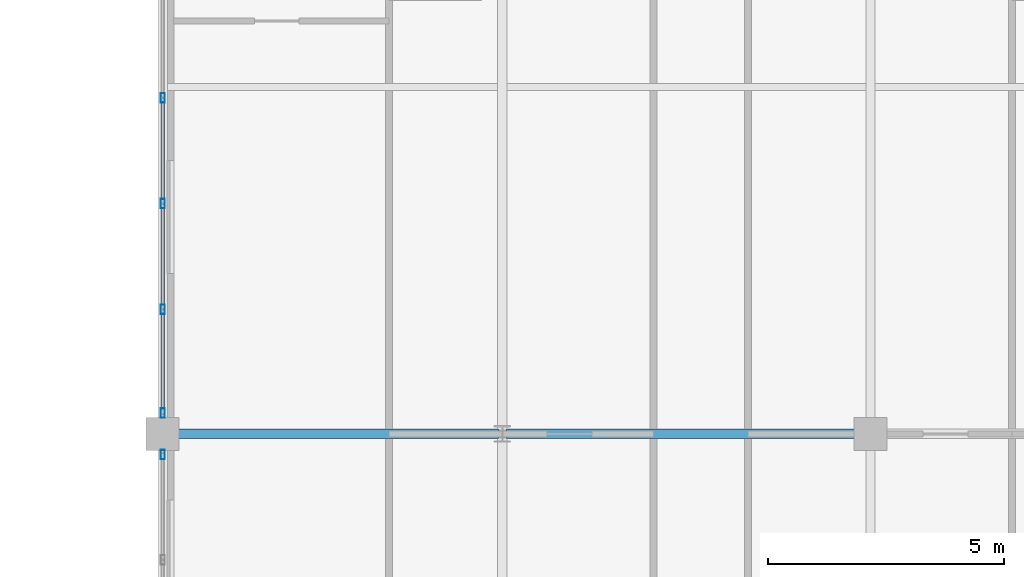
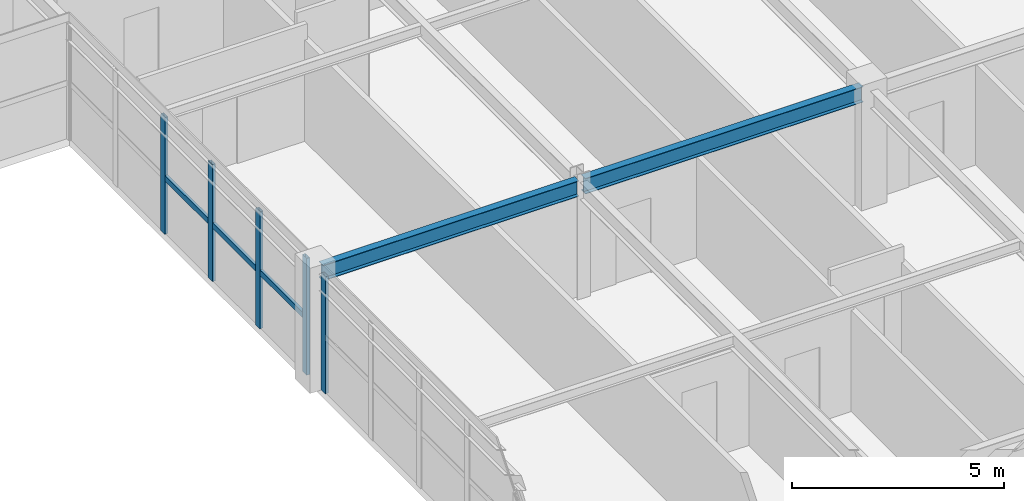
# One storey, part 13 of 34: 8 members, 2 beams, 2 elements without a shape of their own.
"""IFC4 building model written with IfcOpenShell, lengths in metres."""

from ifc_helpers import new_model, si_unit, direction, frame, origin, origin_2d, place, context, subcontext, project, spatial, hollow_rectangle, i_section, extrude, source, transform, mapped, material, material_profile, profile_set, type_object, element, aggregate, save


model = new_model("IFC4")

# Units and contexts
model_context = context("Model", 3, precision=1e-05, world=origin(), true_north=direction((0.0, 1.0)))
body_context = subcontext(model_context, "Body", "Model", "MODEL_VIEW")
ifc_project = project(units=[si_unit("LENGTHUNIT", "METRE"), si_unit("AREAUNIT", "SQUARE_METRE"), si_unit("VOLUMEUNIT", "CUBIC_METRE"), si_unit("PLANEANGLEUNIT", "RADIAN"), si_unit("MASSUNIT", "GRAM", prefix="KILO")], contexts=[model_context])

# Site, building, storey
site_placement = place(None, origin())
site = spatial("IfcSite", under=ifc_project, at=site_placement, CompositionType="ELEMENT")
building_placement = place(site_placement, origin())
building = spatial("IfcBuilding", under=site, at=building_placement, Name="Trelvane Seafront Commons", CompositionType="ELEMENT")
storey_placement = place(building_placement, frame((0.0, 0.0, 197.699951171875)))
storey = spatial("IfcBuildingStorey", under=building, at=storey_placement, Name="L51", CompositionType="ELEMENT", Elevation=197.699951171875)

# Beams
ifc_material_1 = material(Name="Steel SM355 (S355)", Category="steel")
ifc_material_profile_1 = material_profile(ifc_material_1, i_section(OverallWidth=0.199951171875, OverallDepth=0.449951171875, WebThickness=0.009033203125, FlangeThickness=0.013916015625, at=origin_2d()), Name="H-450x200x9x14")
ifc_profile_set_1 = profile_set([ifc_material_profile_1], Name="Steel SM355 (S355)")
beam_type = type_object("IfcBeamType", Name="STR-SPD-H450", PredefinedType="SPANDREL", material=ifc_profile_set_1)
shared_shape_1 = source(origin(), body_context, "Body", "SweptSolid", [
    extrude(i_section(OverallWidth=0.199951171875, OverallDepth=0.449951171875, WebThickness=0.009033203125, FlangeThickness=0.013916015625, at=origin_2d()), origin(), (0.0, 0.0, 1.0), 7.5625),
])
beam_1_placement = place(storey_placement, frame((51.08740234375, 18.199951171875, 3.135009765625), z_axis=(1.0, 0.0, 0.0), x_axis=(0.0, 1.0, 0.0)))
element("IfcBeam", 1, at=beam_1_placement, inside=storey, type_object=beam_type, Name="L51 Primary Girder G-13", PredefinedType="SPANDREL", context=body_context, shape_type="MappedRepresentation", body=[
    mapped(shared_shape_1, transform((0.0, 0.0, 0.0), x_axis=(1.0, 0.0, 0.0), y_axis=(0.0, 1.0, 0.0), z_axis=(0.0, 0.0, 1.0), scale=1.0)),
])
shared_shape_2 = source(origin(), body_context, "Body", "SweptSolid", [
    extrude(i_section(OverallWidth=0.199951171875, OverallDepth=0.449951171875, WebThickness=0.009033203125, FlangeThickness=0.013916015625, at=origin_2d()), origin(), (0.0, 0.0, 1.0), 6.962646484375),
])
beam_2_placement = place(storey_placement, frame((43.949951171875, 18.199951171875, 3.135009765625), z_axis=(1.0, 0.0, 0.0), x_axis=(0.0, 1.0, 0.0)))
element("IfcBeam", 2, at=beam_2_placement, inside=storey, type_object=beam_type, Name="L51 Primary Girder G-12", PredefinedType="SPANDREL", context=body_context, shape_type="MappedRepresentation", body=[
    mapped(shared_shape_2, transform((0.0, 0.0, 0.0), x_axis=(1.0, 0.0, 0.0), y_axis=(0.0, 1.0, 0.0), z_axis=(0.0, 0.0, 1.0), scale=1.0)),
])

# Curtain wall, members
ifc_material_2 = material(Name="Anodised pale-silver aluminium", Category="aluminium")
curtain_wall_type = type_object("IfcCurtainWallType", Name="ARCH-CW3-PORTAL", PredefinedType="NOTDEFINED", material=ifc_material_2)
curtain_wall_1_placement = place(storey_placement, origin())
curtain_wall_1 = element("IfcCurtainWall", 3, at=curtain_wall_1_placement, inside=storey, type_object=curtain_wall_type, Name="CW-L51-VP-0088", PredefinedType="NOTDEFINED")
ifc_material_profile_2 = material_profile(ifc_material_2, hollow_rectangle(XDim=0.080078125, YDim=0.159912109375, WallThickness=0.00439453125, at=origin_2d()), Name="TRAN-80x160x4.5")
ifc_profile_set_2 = profile_set([ifc_material_profile_2], Name="Anodised pale-silver aluminium")
member_type_1 = type_object("IfcMemberType", Name="ARCH-CW-TRAN-160", PredefinedType="USERDEFINED", material=ifc_profile_set_2)
shared_shape_3 = source(origin(), body_context, "Body", "SweptSolid", [
    extrude(hollow_rectangle(XDim=0.080078125, YDim=0.159912109375, WallThickness=0.00439453125, at=origin_2d()), origin(), (0.0, 0.0, 1.0), 2.2158203125),
])
member_1_placement = place(storey_placement, frame((43.800048828125, 20.827880859375, 1.613037109375), z_axis=(0.0, -1.0, 0.0), x_axis=(1.0, 0.0, 0.0)))
member_1 = element("IfcMember", 4, at=member_1_placement, type_object=member_type_1, Name="CW-L51-VP-0088-T04", ObjectType="TRANSOM", PredefinedType="USERDEFINED", context=body_context, shape_type="MappedRepresentation", body=[
    mapped(shared_shape_3, transform((0.0, 0.0, 0.0), x_axis=(1.0, 0.0, 0.0), y_axis=(0.0, 1.0, 0.0), z_axis=(0.0, 0.0, 1.0), scale=1.0)),
])
shared_shape_4 = source(origin(), body_context, "Body", "SweptSolid", [
    extrude(hollow_rectangle(XDim=0.080078125, YDim=0.159912109375, WallThickness=0.00439453125, at=origin_2d()), origin(), (0.0, 0.0, 1.0), 2.216064453125),
])
member_2_placement = place(storey_placement, frame((43.800048828125, 25.30810546875, 1.613037109375), z_axis=(0.0, -1.0, 0.0), x_axis=(1.0, 0.0, 0.0)))
member_2 = element("IfcMember", 5, at=member_2_placement, type_object=member_type_1, Name="CW-L51-VP-0088-T02", ObjectType="TRANSOM", PredefinedType="USERDEFINED", context=body_context, shape_type="MappedRepresentation", body=[
    mapped(shared_shape_4, transform((0.0, 0.0, 0.0), x_axis=(1.0, 0.0, 0.0), y_axis=(0.0, 1.0, 0.0), z_axis=(0.0, 0.0, 1.0), scale=1.0)),
])
member_3_placement = place(storey_placement, frame((43.800048828125, 23.068115234375, 1.613037109375), z_axis=(0.0, -1.0, 0.0), x_axis=(1.0, 0.0, 0.0)))
member_3 = element("IfcMember", 6, at=member_3_placement, type_object=member_type_1, Name="CW-L51-VP-0088-T03", ObjectType="TRANSOM", PredefinedType="USERDEFINED", context=body_context, shape_type="MappedRepresentation", body=[
    mapped(shared_shape_4, transform((0.0, 0.0, 0.0), x_axis=(1.0, 0.0, 0.0), y_axis=(0.0, 1.0, 0.0), z_axis=(0.0, 0.0, 1.0), scale=1.0)),
])
ifc_material_profile_3 = material_profile(ifc_material_2, hollow_rectangle(XDim=0.090087890625, YDim=0.199951171875, WallThickness=0.0048828125, at=origin_2d()), Name="MULL-90x200x5")
ifc_profile_set_3 = profile_set([ifc_material_profile_3], Name="Anodised pale-silver aluminium")
member_type_2 = type_object("IfcMemberType", Name="ARCH-CW-MULL-200", PredefinedType="MULLION", material=ifc_profile_set_3)
shared_shape_5 = source(origin(), body_context, "Body", "SweptSolid", [
    extrude(hollow_rectangle(XDim=0.090087890625, YDim=0.199951171875, WallThickness=0.0048828125, at=origin_2d()), origin(), (0.0, 0.0, 1.0), 3.360107421875),
])
member_4_placement = place(storey_placement, frame((43.800048828125, 25.320068359375, 0.0), z_axis=(0.0, 0.0, 1.0), x_axis=(1.0, 0.0, 0.0)))
member_4 = element("IfcMember", 7, at=member_4_placement, type_object=member_type_2, Name="CW-L51-VP-0088-M02", PredefinedType="MULLION", context=body_context, shape_type="MappedRepresentation", body=[
    mapped(shared_shape_5, transform((0.0, 0.0, 0.0), x_axis=(1.0, 0.0, 0.0), y_axis=(0.0, 1.0, 0.0), z_axis=(0.0, 0.0, 1.0), scale=1.0)),
])
member_5_placement = place(storey_placement, frame((43.800048828125, 23.080078125, 0.0), z_axis=(0.0, 0.0, 1.0), x_axis=(1.0, 0.0, 0.0)))
member_5 = element("IfcMember", 8, at=member_5_placement, type_object=member_type_2, Name="CW-L51-VP-0088-M03", PredefinedType="MULLION", context=body_context, shape_type="MappedRepresentation", body=[
    mapped(shared_shape_5, transform((0.0, 0.0, 0.0), x_axis=(1.0, 0.0, 0.0), y_axis=(0.0, 1.0, 0.0), z_axis=(0.0, 0.0, 1.0), scale=1.0)),
])
member_6_placement = place(storey_placement, frame((43.800048828125, 20.840087890625, 0.0), z_axis=(0.0, 0.0, 1.0), x_axis=(1.0, 0.0, 0.0)))
member_6 = element("IfcMember", 9, at=member_6_placement, type_object=member_type_2, Name="CW-L51-VP-0088-M04", PredefinedType="MULLION", context=body_context, shape_type="MappedRepresentation", body=[
    mapped(shared_shape_5, transform((0.0, 0.0, 0.0), x_axis=(1.0, 0.0, 0.0), y_axis=(0.0, 1.0, 0.0), z_axis=(0.0, 0.0, 1.0), scale=1.0)),
])
member_7_placement = place(storey_placement, frame((43.800048828125, 18.639892578125, 0.0), z_axis=(0.0, 0.0, 1.0), x_axis=(1.0, 0.0, 0.0)))
member_7 = element("IfcMember", 10, at=member_7_placement, type_object=member_type_2, Name="CW-L51-VP-0088-M05", PredefinedType="MULLION", context=body_context, shape_type="MappedRepresentation", body=[
    mapped(shared_shape_5, transform((0.0, 0.0, 0.0), x_axis=(1.0, 0.0, 0.0), y_axis=(0.0, 1.0, 0.0), z_axis=(0.0, 0.0, 1.0), scale=1.0)),
])
aggregate(curtain_wall_1, [member_4, member_5, member_6, member_7, member_2, member_3, member_1])

# Curtain wall, member
curtain_wall_2_placement = place(storey_placement, origin())
curtain_wall_2 = element("IfcCurtainWall", 11, at=curtain_wall_2_placement, inside=storey, type_object=curtain_wall_type, Name="CW-L51-VP-0089", PredefinedType="NOTDEFINED")
member_8_placement = place(storey_placement, frame((43.800048828125, 17.760009765625, 0.0), z_axis=(0.0, 0.0, 1.0), x_axis=(1.0, 0.0, 0.0)))
member_8 = element("IfcMember", 12, at=member_8_placement, type_object=member_type_2, Name="CW-L51-VP-0089-M00", PredefinedType="MULLION", context=body_context, shape_type="MappedRepresentation", body=[
    mapped(shared_shape_5, transform((0.0, 0.0, 0.0), x_axis=(1.0, 0.0, 0.0), y_axis=(0.0, 1.0, 0.0), z_axis=(0.0, 0.0, 1.0), scale=1.0)),
])
aggregate(curtain_wall_2, [member_8])

save(model, "model.ifc")
